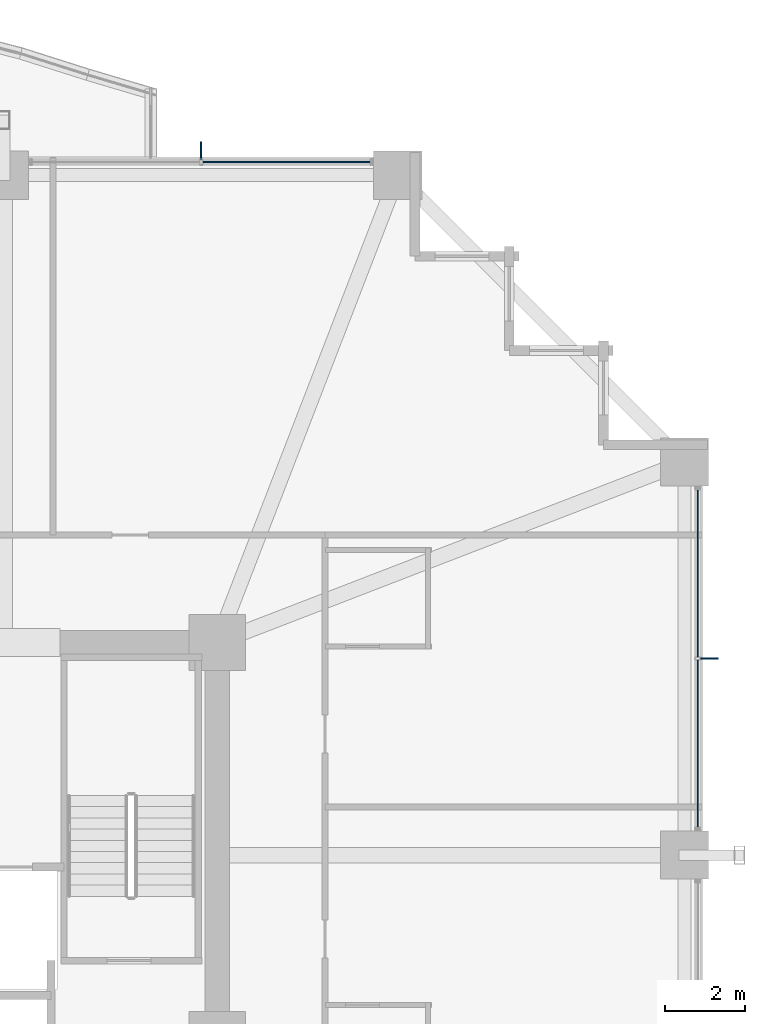
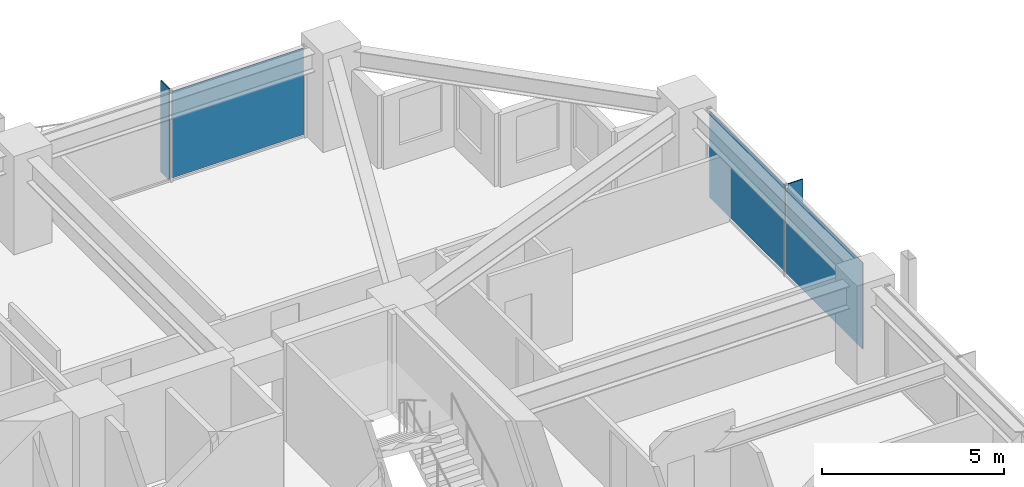
# One storey, part 30 of 38: 5 plates, 2 elements without a shape of their own.
"""IFC4 building model written with IfcOpenShell, lengths in metres."""

from ifc_helpers import new_model, si_unit, direction, frame, origin, origin_2d, place, context, subcontext, project, spatial, rectangle, extrude, material, layer, layer_set, type_object, element, aggregate, save


model = new_model("IFC4")

# Units and contexts
model_context = context("Model", 3, precision=1e-05, world=origin(), true_north=direction((0.0, 1.0)))
body_context = subcontext(model_context, "Body", "Model", "MODEL_VIEW")
ifc_project = project(units=[si_unit("LENGTHUNIT", "METRE"), si_unit("AREAUNIT", "SQUARE_METRE"), si_unit("VOLUMEUNIT", "CUBIC_METRE"), si_unit("PLANEANGLEUNIT", "RADIAN"), si_unit("MASSUNIT", "GRAM", prefix="KILO")], contexts=[model_context])

# Site, building, storey
site_placement = place(None, origin())
site = spatial("IfcSite", under=ifc_project, at=site_placement, CompositionType="ELEMENT")
building_placement = place(site_placement, origin())
building = spatial("IfcBuilding", under=site, at=building_placement, Name="Kolvaren Belvedere", CompositionType="ELEMENT")
storey_placement = place(building_placement, frame((0.0, 0.0, 50.199951171875)))
storey = spatial("IfcBuildingStorey", under=building, at=storey_placement, Name="L14", CompositionType="ELEMENT", Elevation=50.199951171875)

# Curtain wall, plates
ifc_material_1 = material(Name="Anodised pale-metal aluminium AA 6063-T6", Category="aluminium")
curtain_wall_type = type_object("IfcCurtainWallType", Name="CW-Z1-LOW", PredefinedType="NOTDEFINED", material=ifc_material_1)
curtain_wall_1_placement = place(storey_placement, origin())
curtain_wall_1 = element("IfcCurtainWall", 1, at=curtain_wall_1_placement, inside=storey, type_object=curtain_wall_type, Name="L14 Unitised Curtain Wall FCW-L14-E-B1", PredefinedType="NOTDEFINED")
ifc_material_2 = material(Name="Low-iron triple insulated glass", Category="glass")
ifc_layer_1 = layer(ifc_material_2, 0.028076171875)
ifc_layer_set_1 = layer_set([ifc_layer_1], Name="Low-iron triple insulated glass")
plate_type_1 = type_object("IfcPlateType", Name="CW-PNL-VIS28", PredefinedType="CURTAIN_PANEL", material=ifc_layer_set_1)
plate_1_placement = place(storey_placement, frame((21.8798828125, 11.62255859375, 0.080078125), z_axis=(0.0, 0.0, 1.0), x_axis=(0.0, -1.0, 0.0)))
plate_1 = element("IfcPlate", 2, at=plate_1_placement, type_object=plate_type_1, Name="FCW-L14-E-B1 Vision Glazing Panel 1", PredefinedType="CURTAIN_PANEL", context=body_context, shape_type="SweptSolid", body=[
    extrude(rectangle(XDim=4.1650390625, YDim=0.028076171875, at=origin_2d()), origin(), (0.0, 0.0, 1.0), 2.89990234375),
])
plate_2_placement = place(storey_placement, frame((21.8798828125, 7.37744140625, 0.080078125), z_axis=(0.0, 0.0, 1.0), x_axis=(0.0, -1.0, 0.0)))
plate_2 = element("IfcPlate", 3, at=plate_2_placement, type_object=plate_type_1, Name="FCW-L14-E-B1 Vision Glazing Panel 2", PredefinedType="CURTAIN_PANEL", context=body_context, shape_type="SweptSolid", body=[
    extrude(rectangle(XDim=4.1650390625, YDim=0.028076171875, at=origin_2d()), origin(), (0.0, 0.0, 1.0), 2.89990234375),
])
aggregate(curtain_wall_1, [plate_1, plate_2])

# Curtain wall, plate
curtain_wall_2_placement = place(storey_placement, origin())
curtain_wall_2 = element("IfcCurtainWall", 4, at=curtain_wall_2_placement, inside=storey, type_object=curtain_wall_type, Name="L14 Unitised Curtain Wall FCW-L14-N2-B2", PredefinedType="NOTDEFINED")
plate_3_placement = place(storey_placement, frame((11.62255859375, 21.8798828125, 0.080078125), z_axis=(0.0, 0.0, 1.0), x_axis=(1.0, 0.0, 0.0)))
plate_3 = element("IfcPlate", 5, at=plate_3_placement, type_object=plate_type_1, Name="FCW-L14-N2-B2 Vision Glazing Panel 2", PredefinedType="CURTAIN_PANEL", context=body_context, shape_type="SweptSolid", body=[
    extrude(rectangle(XDim=4.1650390625, YDim=0.028076171875, at=origin_2d()), origin(), (0.0, 0.0, 1.0), 2.89990234375),
])
aggregate(curtain_wall_2, [plate_3])

# Plates
ifc_material_3 = material(Name="Anodised pale-metal aluminium AA 6063-T6", Category="aluminium")
ifc_layer_2 = layer(ifc_material_3, 0.0380859375)
ifc_layer_set_2 = layer_set([ifc_layer_2], Name="Anodised pale-metal aluminium AA 6063-T6")
plate_type_2 = type_object("IfcPlateType", Name="FIN-VERT-450", PredefinedType="USERDEFINED", material=ifc_layer_set_2)
for number, where, z_axis, x_axis, name in (
    (6, (22.1650390625, 9.5, 0.0), (0.0, 0.0, 1.0), (1.0, 0.0, 0.0), "L14 Pale-Metal Vertical Shading Fin FCW-L14-E-B1-1"),
    (7, (9.5, 22.1650390625, 0.0), (0.0, 0.0, 1.0), (0.0, 1.0, 0.0), "L14 Pale-Metal Vertical Shading Fin FCW-L14-N2-B2-1"),
):
    element("IfcPlate", number, at=place(storey_placement, frame(where, z_axis=z_axis, x_axis=x_axis)), inside=storey, type_object=plate_type_2, Name=name, ObjectType="VERTICAL FIN", PredefinedType="USERDEFINED", context=body_context, shape_type="SweptSolid", body=[
        extrude(rectangle(XDim=0.449951171875, YDim=0.0380859375, at=origin_2d()), origin(), (0.0, 0.0, 1.0), 3.06005859375),
    ])

save(model, "model.ifc")
